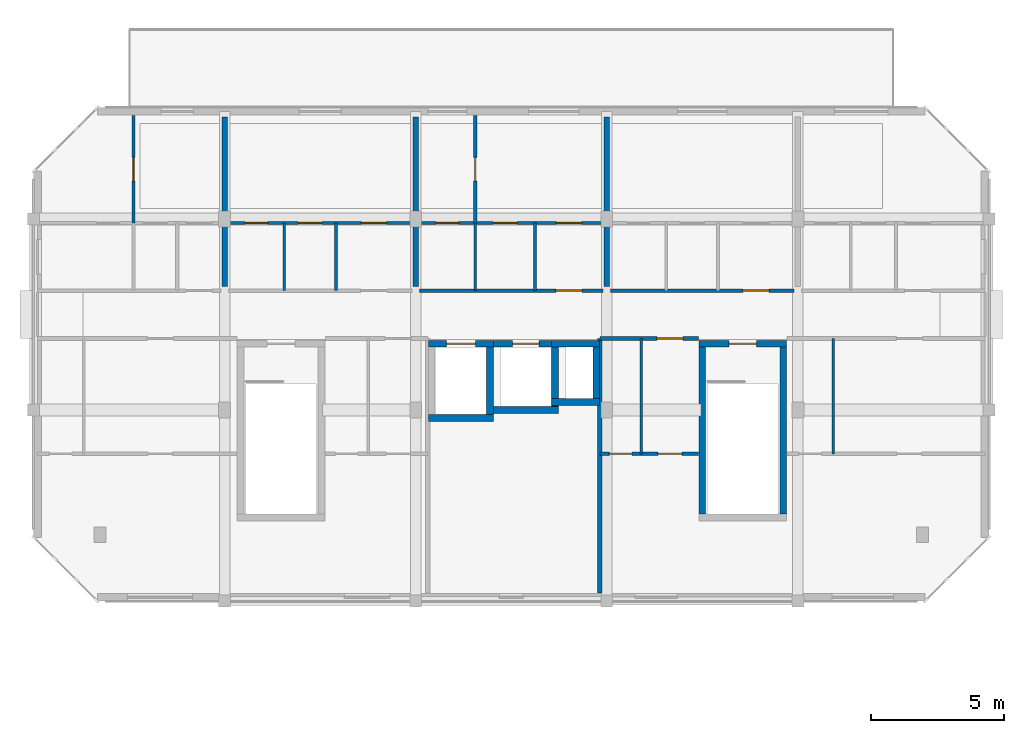
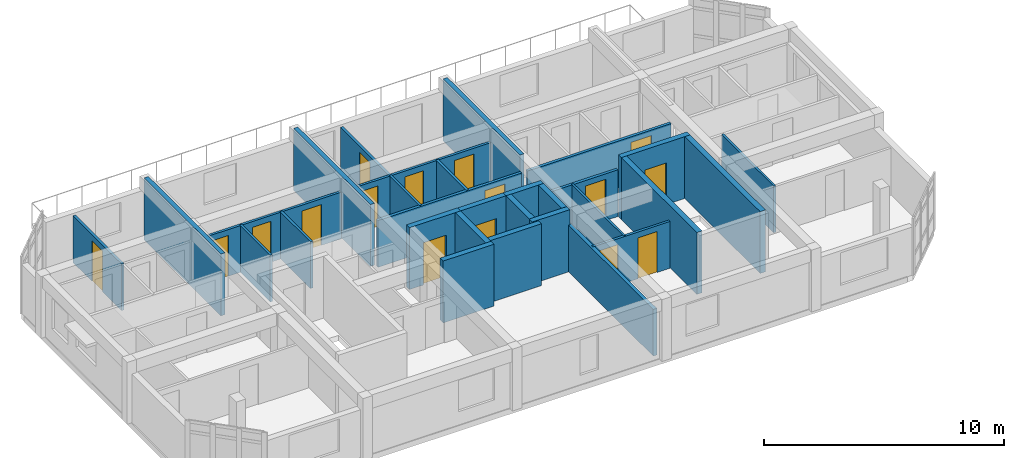
# One storey, part 13 of 30: 30 walls, 16 doors, 16 openings.
"""IFC4 building model written with IfcOpenShell, lengths in metres."""

from ifc_helpers import new_model, si_unit, direction, frame, frame_2d, origin, place, context, subcontext, project, spatial, rectangle, extrude, material, layer, layer_set, type_object, element, fill, save


model = new_model("IFC4")

# Units and contexts
model_context = context("Model", 3, precision=1e-05, world=origin(), true_north=direction((0.0, 1.0)))
body_context = subcontext(model_context, "Body", "Model", "MODEL_VIEW")
ifc_project = project(units=[si_unit("LENGTHUNIT", "METRE"), si_unit("AREAUNIT", "SQUARE_METRE"), si_unit("VOLUMEUNIT", "CUBIC_METRE"), si_unit("PLANEANGLEUNIT", "RADIAN"), si_unit("MASSUNIT", "GRAM", prefix="KILO")], contexts=[model_context])

# Site, building, storey
site_placement = place(None, origin())
site = spatial("IfcSite", under=ifc_project, at=site_placement, CompositionType="ELEMENT")
building_placement = place(site_placement, origin())
building = spatial("IfcBuilding", under=site, at=building_placement, Name="Ochrevale Crest", CompositionType="ELEMENT")
storey_placement = place(building_placement, frame((0.0, 0.0, 33.89990234375)))
storey = spatial("IfcBuildingStorey", under=building, at=storey_placement, Name="L10", CompositionType="ELEMENT", Elevation=33.89990234375)

# Wall, opening, door
ifc_material_1 = material(Name="Gypsum plasterboard", Category="gypsum")
ifc_layer_1 = layer(ifc_material_1, 0.139892578125)
ifc_layer_set_1 = layer_set([ifc_layer_1], Name="Gypsum plasterboard")
wall_type_1 = type_object("IfcWallType", Name="WL-COR-140", PredefinedType="PARTITIONING", material=ifc_layer_set_1)
wall_1_placement = place(storey_placement, frame((14.5400390625, 83.699951171875, 0.0), z_axis=(0.0, 0.0, 1.0), x_axis=(1.0, 0.0, 0.0)))
wall_1 = element("IfcWall", 1, at=wall_1_placement, inside=storey, type_object=wall_type_1, Name="Apartment B-L10-U3 corridor wall", PredefinedType="PARTITIONING", context=body_context, shape_type="SweptSolid", body=[
    extrude(rectangle(XDim=6.919921875, YDim=0.139892578125, at=frame_2d((3.4599609375, 0.0))), origin(), (0.0, 0.0, 1.0), 2.380126953125),
])
opening_1_placement = place(wall_1_placement, frame((5.14501953125, 0.0, 0.0)))
opening_1 = element("IfcOpeningElement", 2, at=opening_1_placement, cuts=wall_1, Name="Opening FD01", PredefinedType="OPENING", context=body_context, shape_type="SweptSolid", body=[
    extrude(rectangle(XDim=0.97998046875, YDim=2.10009765625, at=frame_2d((0.489990234375, 1.050048828125))), frame((0.0, 0.080078125, 0.0), z_axis=(0.0, -1.0, 0.0), x_axis=(1.0, 0.0, 0.0)), (0.0, 0.0, 1.0), 0.159912109375),
])
ifc_material_2 = material(Name="Solid-core FSC hardwood", Category="wood")
door_type_1 = type_object("IfcDoorType", Name="DR-APT-950", OperationType="NOTDEFINED", PredefinedType="DOOR", material=ifc_material_2)
door_1_placement = place(opening_1_placement, origin())
door_1 = element("IfcDoor", 3, at=door_1_placement, inside=storey, type_object=door_type_1, Name="Apartment B-L10-U3 entrance door", OperationType="SINGLE_SWING_LEFT", OverallHeight=2.10009765625, OverallWidth=0.97998046875, PredefinedType="DOOR", context=body_context, shape_type="SweptSolid", body=[
    extrude(rectangle(XDim=0.97998046875, YDim=2.10009765625, at=frame_2d((0.489990234375, 1.050048828125))), frame((0.0, 0.02490234375, 0.0), z_axis=(0.0, -1.0, 0.0), x_axis=(1.0, 0.0, 0.0)), (0.0, 0.0, 1.0), 0.050048828125),
])
fill(opening_1, door_1)

wall_2_placement = place(storey_placement, frame((21.739990234375, 83.699951171875, 0.0), z_axis=(0.0, 0.0, 1.0), x_axis=(1.0, 0.0, 0.0)))
wall_2 = element("IfcWall", 4, at=wall_2_placement, inside=storey, type_object=wall_type_1, Name="Apartment B-L10-U4 corridor wall", PredefinedType="PARTITIONING", context=body_context, shape_type="SweptSolid", body=[
    extrude(rectangle(XDim=6.919921875, YDim=0.139892578125, at=frame_2d((3.4599609375, 0.0))), origin(), (0.0, 0.0, 1.0), 2.380126953125),
])
opening_2_placement = place(wall_2_placement, frame((5.97509765625, 0.0, 0.0), z_axis=(0.0, 0.0, 1.0), x_axis=(-1.0, 0.0, 0.0)))
opening_2 = element("IfcOpeningElement", 5, at=opening_2_placement, cuts=wall_2, Name="Opening FD01", PredefinedType="OPENING", context=body_context, shape_type="SweptSolid", body=[
    extrude(rectangle(XDim=0.97998046875, YDim=2.10009765625, at=frame_2d((0.489990234375, 1.050048828125))), frame((0.0, 0.080078125, 0.0), z_axis=(0.0, -1.0, 0.0), x_axis=(1.0, 0.0, 0.0)), (0.0, 0.0, 1.0), 0.159912109375),
])
door_2_placement = place(opening_2_placement, origin())
door_2 = element("IfcDoor", 6, at=door_2_placement, inside=storey, type_object=door_type_1, Name="Apartment B-L10-U4 entrance door", OperationType="SINGLE_SWING_RIGHT", OverallHeight=2.10009765625, OverallWidth=0.97998046875, PredefinedType="DOOR", context=body_context, shape_type="SweptSolid", body=[
    extrude(rectangle(XDim=0.97998046875, YDim=2.10009765625, at=frame_2d((0.489990234375, 1.050048828125))), frame((0.0, 0.02490234375, 0.0), z_axis=(0.0, -1.0, 0.0), x_axis=(1.0, 0.0, 0.0)), (0.0, 0.0, 1.0), 0.050048828125),
])
fill(opening_2, door_2)

wall_3_placement = place(storey_placement, frame((21.340087890625, 81.89990234375, 0.0), z_axis=(0.0, 0.0, 1.0), x_axis=(1.0, 0.0, 0.0)))
wall_3 = element("IfcWall", 7, at=wall_3_placement, inside=storey, type_object=wall_type_1, Name="Suite B-L10-ME corridor wall", PredefinedType="PARTITIONING", context=body_context, shape_type="SweptSolid", body=[
    extrude(rectangle(XDim=3.719970703125, YDim=0.139892578125, at=frame_2d((1.85986328125, 0.0))), origin(), (0.0, 0.0, 1.0), 2.380126953125),
])
opening_3_placement = place(wall_3_placement, frame((3.131103515625, 0.0, 0.0), z_axis=(0.0, 0.0, 1.0), x_axis=(-1.0, 0.0, 0.0)))
opening_3 = element("IfcOpeningElement", 8, at=opening_3_placement, cuts=wall_3, Name="Opening FD01", PredefinedType="OPENING", context=body_context, shape_type="SweptSolid", body=[
    extrude(rectangle(XDim=0.97998046875, YDim=2.10009765625, at=frame_2d((0.489990234375, 1.050048828125))), frame((0.0, 0.080078125, 0.0), z_axis=(0.0, -1.0, 0.0), x_axis=(1.0, 0.0, 0.0)), (0.0, 0.0, 1.0), 0.159912109375),
])
door_3_placement = place(opening_3_placement, origin())
door_3 = element("IfcDoor", 9, at=door_3_placement, inside=storey, type_object=door_type_1, Name="Suite B-L10-ME entrance door", OperationType="SINGLE_SWING_RIGHT", OverallHeight=2.10009765625, OverallWidth=0.97998046875, PredefinedType="DOOR", context=body_context, shape_type="SweptSolid", body=[
    extrude(rectangle(XDim=0.97998046875, YDim=2.10009765625, at=frame_2d((0.489990234375, 1.050048828125))), frame((0.0, 0.02490234375, 0.0), z_axis=(0.0, -1.0, 0.0), x_axis=(1.0, 0.0, 0.0)), (0.0, 0.0, 1.0), 0.050048828125),
])
fill(opening_3, door_3)

ifc_material_3 = material(Name="Precast concrete C50/60", Category="concrete")
ifc_layer_2 = layer(ifc_material_3, 0.2548828125)
ifc_layer_set_2 = layer_set([ifc_layer_2], Name="Precast concrete C50/60")
wall_type_2 = type_object("IfcWallType", Name="WL-CORE-255", PredefinedType="SHEAR", material=ifc_layer_set_2)
wall_4_placement = place(storey_placement, frame((25.072509765625, 81.699951171875, 0.0), z_axis=(0.0, 0.0, 1.0), x_axis=(1.0, 0.0, 0.0)))
wall_4 = element("IfcWall", 10, at=wall_4_placement, inside=storey, type_object=wall_type_2, Name="Block B L10 Stair 2 precast core shear wall N", PredefinedType="SHEAR", context=body_context, shape_type="SweptSolid", body=[
    extrude(rectangle(XDim=3.304931640625, YDim=0.2548828125, at=frame_2d((1.65234375, 0.0))), origin(), (0.0, 0.0, 1.0), 3.150146484375),
])
opening_4_placement = place(wall_4_placement, frame((1.12744140625, 0.0, 0.0)))
opening_4 = element("IfcOpeningElement", 11, at=opening_4_placement, cuts=wall_4, Name="Opening FD03", PredefinedType="OPENING", context=body_context, shape_type="SweptSolid", body=[
    extrude(rectangle(XDim=1.050048828125, YDim=2.1201171875, at=frame_2d((0.52490234375, 1.06005859375))), frame((0.0, 0.137451171875, 0.0), z_axis=(0.0, -1.0, 0.0), x_axis=(1.0, 0.0, 0.0)), (0.0, 0.0, 1.0), 0.27490234375),
])
door_type_2 = type_object("IfcDoorType", Name="DR-ST-1050", OperationType="NOTDEFINED", PredefinedType="DOOR", material=ifc_material_2)
door_4_placement = place(opening_4_placement, origin())
door_4 = element("IfcDoor", 12, at=door_4_placement, inside=storey, type_object=door_type_2, Name="Block B L10 fire stair 2 door", OperationType="SINGLE_SWING_LEFT", OverallHeight=2.1201171875, OverallWidth=1.050048828125, PredefinedType="DOOR", context=body_context, shape_type="SweptSolid", body=[
    extrude(rectangle(XDim=1.050048828125, YDim=2.1201171875, at=frame_2d((0.52490234375, 1.06005859375))), frame((0.0, 0.02490234375, 0.0), z_axis=(0.0, -1.0, 0.0), x_axis=(1.0, 0.0, 0.0)), (0.0, 0.0, 1.0), 0.050048828125),
])
fill(opening_4, door_4)

# Walls
for number, where, z_axis, x_axis, name in (
    (13, (25.199951171875, 75.277587890625, 0.0), (0.0, 0.0, 1.0), (0.0, 1.0, 0.0), "Block B L10 Stair 2 precast core shear wall W"),
    (14, (28.25, 75.277587890625, 0.0), (0.0, 0.0, 1.0), (0.0, 1.0, 0.0), "Block B L10 Stair 2 precast core shear wall E"),
):
    element("IfcWall", number, at=place(storey_placement, frame(where, z_axis=z_axis, x_axis=x_axis)), inside=storey, type_object=wall_type_2, Name=name, PredefinedType="SHEAR", context=body_context, shape_type="SweptSolid", body=[
        extrude(rectangle(XDim=6.294921875, YDim=0.2548828125, at=frame_2d((3.1474609375, 0.0))), origin(), (0.0, 0.0, 1.0), 3.150146484375),
    ])
wall_5_placement = place(storey_placement, frame((14.87255859375, 78.89990234375, 0.0), z_axis=(0.0, 0.0, 1.0), x_axis=(1.0, 0.0, 0.0)))
element("IfcWall", 15, at=wall_5_placement, inside=storey, type_object=wall_type_2, Name="Block B L10 Lift 1 precast shaft shear wall S", PredefinedType="SHEAR", context=body_context, shape_type="SweptSolid", body=[
    extrude(rectangle(XDim=2.454833984375, YDim=0.2548828125, at=frame_2d((1.2275390625, 0.0))), origin(), (0.0, 0.0, 1.0), 3.150146484375),
])

# Wall, opening, door
wall_6_placement = place(storey_placement, frame((14.87255859375, 81.699951171875, 0.0), z_axis=(0.0, 0.0, 1.0), x_axis=(1.0, 0.0, 0.0)))
wall_6 = element("IfcWall", 16, at=wall_6_placement, inside=storey, type_object=wall_type_2, Name="Block B L10 Lift 1 precast shaft shear wall N", PredefinedType="SHEAR", context=body_context, shape_type="SweptSolid", body=[
    extrude(rectangle(XDim=2.454833984375, YDim=0.2548828125, at=frame_2d((1.2275390625, 0.0))), origin(), (0.0, 0.0, 1.0), 3.150146484375),
])
opening_5_placement = place(wall_6_placement, frame((0.677490234375, 0.0, 0.0)))
opening_5 = element("IfcOpeningElement", 17, at=opening_5_placement, cuts=wall_6, Name="Opening LD01", PredefinedType="OPENING", context=body_context, shape_type="SweptSolid", body=[
    extrude(rectangle(XDim=1.10009765625, YDim=2.14990234375, at=frame_2d((0.550048828125, 1.074951171875))), frame((0.0, 0.137451171875, 0.0), z_axis=(0.0, -1.0, 0.0), x_axis=(1.0, 0.0, 0.0)), (0.0, 0.0, 1.0), 0.27490234375),
])
door_type_3 = type_object("IfcDoorType", Name="DR-LIFT-1100", OperationType="NOTDEFINED", PredefinedType="DOOR", material=ifc_material_2)
door_5_placement = place(opening_5_placement, origin())
door_5 = element("IfcDoor", 18, at=door_5_placement, inside=storey, type_object=door_type_3, Name="Lift LF-B1 L10 sliding landing door", OperationType="SLIDING_TO_LEFT", OverallHeight=2.14990234375, OverallWidth=1.10009765625, PredefinedType="DOOR", context=body_context, shape_type="SweptSolid", body=[
    extrude(rectangle(XDim=1.10009765625, YDim=2.14990234375, at=frame_2d((0.550048828125, 1.074951171875))), frame((0.0, 0.02490234375, 0.0), z_axis=(0.0, -1.0, 0.0), x_axis=(1.0, 0.0, 0.0)), (0.0, 0.0, 1.0), 0.050048828125),
])
fill(opening_5, door_5)

# Walls
wall_7_placement = place(storey_placement, frame((17.199951171875, 79.027587890625, 0.0), z_axis=(0.0, 0.0, 1.0), x_axis=(0.0, 1.0, 0.0)))
element("IfcWall", 19, at=wall_7_placement, inside=storey, type_object=wall_type_2, Name="Block B L10 Lift 1 precast shaft shear wall E", PredefinedType="SHEAR", context=body_context, shape_type="SweptSolid", body=[
    extrude(rectangle(XDim=2.544921875, YDim=0.2548828125, at=frame_2d((1.2724609375, 0.0))), origin(), (0.0, 0.0, 1.0), 3.150146484375),
])
wall_8_placement = place(storey_placement, frame((17.322509765625, 79.199951171875, 0.0), z_axis=(0.0, 0.0, 1.0), x_axis=(1.0, 0.0, 0.0)))
element("IfcWall", 20, at=wall_8_placement, inside=storey, type_object=wall_type_2, Name="Block B L10 Lift 2 precast shaft shear wall S", PredefinedType="SHEAR", context=body_context, shape_type="SweptSolid", body=[
    extrude(rectangle(XDim=2.455078125, YDim=0.2548828125, at=frame_2d((1.2275390625, 0.0))), origin(), (0.0, 0.0, 1.0), 3.150146484375),
])

# Wall, opening, door
wall_9_placement = place(storey_placement, frame((17.322509765625, 81.699951171875, 0.0), z_axis=(0.0, 0.0, 1.0), x_axis=(1.0, 0.0, 0.0)))
wall_9 = element("IfcWall", 21, at=wall_9_placement, inside=storey, type_object=wall_type_2, Name="Block B L10 Lift 2 precast shaft shear wall N", PredefinedType="SHEAR", context=body_context, shape_type="SweptSolid", body=[
    extrude(rectangle(XDim=2.455078125, YDim=0.2548828125, at=frame_2d((1.2275390625, 0.0))), origin(), (0.0, 0.0, 1.0), 3.150146484375),
])
opening_6_placement = place(wall_9_placement, frame((0.7275390625, 0.0, 0.0)))
opening_6 = element("IfcOpeningElement", 22, at=opening_6_placement, cuts=wall_9, Name="Opening LD02", PredefinedType="OPENING", context=body_context, shape_type="SweptSolid", body=[
    extrude(rectangle(XDim=1.0, YDim=2.14990234375, at=frame_2d((0.5, 1.074951171875))), frame((0.0, 0.137451171875, 0.0), z_axis=(0.0, -1.0, 0.0), x_axis=(1.0, 0.0, 0.0)), (0.0, 0.0, 1.0), 0.27490234375),
])
door_type_4 = type_object("IfcDoorType", Name="DR-LIFT-1000", OperationType="NOTDEFINED", PredefinedType="DOOR", material=ifc_material_2)
door_6_placement = place(opening_6_placement, origin())
door_6 = element("IfcDoor", 23, at=door_6_placement, inside=storey, type_object=door_type_4, Name="Lift LP-B2 L10 sliding landing door", OperationType="SLIDING_TO_RIGHT", OverallHeight=2.14990234375, OverallWidth=1.0, PredefinedType="DOOR", context=body_context, shape_type="SweptSolid", body=[
    extrude(rectangle(XDim=1.0, YDim=2.14990234375, at=frame_2d((0.5, 1.074951171875))), frame((0.0, 0.02490234375, 0.0), z_axis=(0.0, -1.0, 0.0), x_axis=(1.0, 0.0, 0.0)), (0.0, 0.0, 1.0), 0.050048828125),
])
fill(opening_6, door_6)

# Walls
wall_10_placement = place(storey_placement, frame((19.64990234375, 79.327392578125, 0.0), z_axis=(0.0, 0.0, 1.0), x_axis=(0.0, 1.0, 0.0)))
element("IfcWall", 24, at=wall_10_placement, inside=storey, type_object=wall_type_2, Name="Block B L10 Lift 2 precast shaft shear wall E", PredefinedType="SHEAR", context=body_context, shape_type="SweptSolid", body=[
    extrude(rectangle(XDim=2.2451171875, YDim=0.2548828125, at=frame_2d((1.12255859375, 0.0))), origin(), (0.0, 0.0, 1.0), 3.150146484375),
])
for number, where, z_axis, x_axis, name in (
    (25, (19.5224609375, 79.5, 0.0), (0.0, 0.0, 1.0), (1.0, 0.0, 0.0), "Block B L10 services riser shaft core wall S"),
    (26, (19.5224609375, 81.699951171875, 0.0), (0.0, 0.0, 1.0), (1.0, 0.0, 0.0), "Block B L10 services riser shaft core wall N"),
):
    element("IfcWall", number, at=place(storey_placement, frame(where, z_axis=z_axis, x_axis=x_axis)), inside=storey, type_object=wall_type_2, Name=name, PredefinedType="SHEAR", context=body_context, shape_type="SweptSolid", body=[
        extrude(rectangle(XDim=1.804931640625, YDim=0.2548828125, at=frame_2d((0.90234375, 0.0))), origin(), (0.0, 0.0, 1.0), 3.150146484375),
    ])
wall_11_placement = place(storey_placement, frame((21.199951171875, 79.62744140625, 0.0), z_axis=(0.0, 0.0, 1.0), x_axis=(0.0, 1.0, 0.0)))
element("IfcWall", 27, at=wall_11_placement, inside=storey, type_object=wall_type_2, Name="Block B L10 services riser shaft core wall E", PredefinedType="SHEAR", context=body_context, shape_type="SweptSolid", body=[
    extrude(rectangle(XDim=1.945068359375, YDim=0.2548828125, at=frame_2d((0.97265625, 0.0))), origin(), (0.0, 0.0, 1.0), 3.150146484375),
])

# Wall, opening, door
ifc_layer_3 = layer(ifc_material_1, 0.1201171875)
ifc_layer_set_3 = layer_set([ifc_layer_3], Name="Gypsum plasterboard")
wall_type_3 = type_object("IfcWallType", Name="WL-PART-120", PredefinedType="PARTITIONING", material=ifc_layer_set_3)
wall_12_placement = place(storey_placement, frame((3.760009765625, 86.25, 0.0), z_axis=(0.0, 0.0, 1.0), x_axis=(0.0, 1.0, 0.0)))
wall_12 = element("IfcWall", 28, at=wall_12_placement, inside=storey, type_object=wall_type_3, Name="Apartment B-L10-U1 bedroom partition", PredefinedType="PARTITIONING", context=body_context, shape_type="SweptSolid", body=[
    extrude(rectangle(XDim=4.050048828125, YDim=0.1201171875, at=frame_2d((2.02490234375, 0.0))), origin(), (0.0, 0.0, 1.0), 2.380126953125),
])
opening_7_placement = place(wall_12_placement, frame((2.474853515625, 0.0, 0.0), z_axis=(0.0, 0.0, 1.0), x_axis=(-1.0, 0.0, 0.0)))
opening_7 = element("IfcOpeningElement", 29, at=opening_7_placement, cuts=wall_12, Name="Opening ID02", PredefinedType="OPENING", context=body_context, shape_type="SweptSolid", body=[
    extrude(rectangle(XDim=0.89990234375, YDim=2.080078125, at=frame_2d((0.449951171875, 1.0400390625))), frame((0.0, 0.070068359375, 0.0), z_axis=(0.0, -1.0, 0.0), x_axis=(1.0, 0.0, 0.0)), (0.0, 0.0, 1.0), 0.14013671875),
])
door_type_5 = type_object("IfcDoorType", Name="DR-INT-900", OperationType="NOTDEFINED", PredefinedType="DOOR", material=ifc_material_2)
door_7_placement = place(opening_7_placement, origin())
door_7 = element("IfcDoor", 30, at=door_7_placement, inside=storey, type_object=door_type_5, Name="Apartment B-L10-U1 Twin Bedroom door", OperationType="SINGLE_SWING_RIGHT", OverallHeight=2.080078125, OverallWidth=0.89990234375, PredefinedType="DOOR", context=body_context, shape_type="SweptSolid", body=[
    extrude(rectangle(XDim=0.89990234375, YDim=2.080078125, at=frame_2d((0.449951171875, 1.0400390625))), frame((0.0, 0.02490234375, 0.0), z_axis=(0.0, -1.0, 0.0), x_axis=(1.0, 0.0, 0.0)), (0.0, 0.0, 1.0), 0.050048828125),
])
fill(opening_7, door_7)

# Wall
wall_13_placement = place(storey_placement, frame((11.389892578125, 83.699951171875, 0.0), z_axis=(0.0, 0.0, 1.0), x_axis=(0.0, 1.0, 0.0)))
element("IfcWall", 31, at=wall_13_placement, inside=storey, type_object=wall_type_3, Name="Apartment B-L10-U2 kitchen-foyer wall", PredefinedType="PARTITIONING", context=body_context, shape_type="SweptSolid", body=[
    extrude(rectangle(XDim=2.550048828125, YDim=0.1201171875, at=frame_2d((1.27490234375, 0.0))), origin(), (0.0, 0.0, 1.0), 2.380126953125),
])

# Wall, openings, doors
wall_14_placement = place(storey_placement, frame((7.340087890625, 86.25, 0.0), z_axis=(0.0, 0.0, 1.0), x_axis=(1.0, 0.0, 0.0)))
wall_14 = element("IfcWall", 32, at=wall_14_placement, inside=storey, type_object=wall_type_3, Name="Apartment B-L10-U2 central partition", PredefinedType="PARTITIONING", context=body_context, shape_type="SweptSolid", body=[
    extrude(rectangle(XDim=6.919921875, YDim=0.1201171875, at=frame_2d((3.4599609375, 0.0))), origin(), (0.0, 0.0, 1.0), 2.380126953125),
])
opening_8_placement = place(wall_14_placement, frame((1.47509765625, 0.0, 0.0), z_axis=(0.0, 0.0, 1.0), x_axis=(-1.0, 0.0, 0.0)))
opening_8 = element("IfcOpeningElement", 33, at=opening_8_placement, cuts=wall_14, Name="Opening ID01", PredefinedType="OPENING", context=body_context, shape_type="SweptSolid", body=[
    extrude(rectangle(XDim=0.85009765625, YDim=2.080078125, at=frame_2d((0.425048828125, 1.0400390625))), frame((0.0, 0.070068359375, 0.0), z_axis=(0.0, -1.0, 0.0), x_axis=(1.0, 0.0, 0.0)), (0.0, 0.0, 1.0), 0.14013671875),
])
opening_9_placement = place(wall_14_placement, frame((2.625, 0.0, 0.0)))
opening_9 = element("IfcOpeningElement", 34, at=opening_9_placement, cuts=wall_14, Name="Opening ID02", PredefinedType="OPENING", context=body_context, shape_type="SweptSolid", body=[
    extrude(rectangle(XDim=0.89990234375, YDim=2.080078125, at=frame_2d((0.449951171875, 1.0400390625))), frame((0.0, 0.070068359375, 0.0), z_axis=(0.0, -1.0, 0.0), x_axis=(1.0, 0.0, 0.0)), (0.0, 0.0, 1.0), 0.14013671875),
])
opening_10_placement = place(wall_14_placement, frame((5.9599609375, 0.0, 0.0), z_axis=(0.0, 0.0, 1.0), x_axis=(-1.0, 0.0, 0.0)))
opening_10 = element("IfcOpeningElement", 35, at=opening_10_placement, cuts=wall_14, Name="Opening ID06", PredefinedType="OPENING", context=body_context, shape_type="SweptSolid", body=[
    extrude(rectangle(XDim=0.949951171875, YDim=2.080078125, at=frame_2d((0.47509765625, 1.0400390625))), frame((0.0, 0.070068359375, 0.0), z_axis=(0.0, -1.0, 0.0), x_axis=(1.0, 0.0, 0.0)), (0.0, 0.0, 1.0), 0.14013671875),
])
door_8_placement = place(opening_9_placement, origin())
door_8 = element("IfcDoor", 36, at=door_8_placement, inside=storey, type_object=door_type_5, Name="Apartment B-L10-U2 Kitchen door", OperationType="SINGLE_SWING_LEFT", OverallHeight=2.080078125, OverallWidth=0.89990234375, PredefinedType="DOOR", context=body_context, shape_type="SweptSolid", body=[
    extrude(rectangle(XDim=0.89990234375, YDim=2.080078125, at=frame_2d((0.449951171875, 1.0400390625))), frame((0.0, 0.02490234375, 0.0), z_axis=(0.0, -1.0, 0.0), x_axis=(1.0, 0.0, 0.0)), (0.0, 0.0, 1.0), 0.050048828125),
])
fill(opening_9, door_8)
door_type_6 = type_object("IfcDoorType", Name="DR-INT-950", OperationType="NOTDEFINED", PredefinedType="DOOR", material=ifc_material_2)
door_9_placement = place(opening_10_placement, origin())
door_9 = element("IfcDoor", 37, at=door_9_placement, inside=storey, type_object=door_type_6, Name="Apartment B-L10-U2 Living Foyer door", OperationType="SINGLE_SWING_RIGHT", OverallHeight=2.080078125, OverallWidth=0.949951171875, PredefinedType="DOOR", context=body_context, shape_type="SweptSolid", body=[
    extrude(rectangle(XDim=0.949951171875, YDim=2.080078125, at=frame_2d((0.47509765625, 1.0400390625))), frame((0.0, 0.02490234375, 0.0), z_axis=(0.0, -1.0, 0.0), x_axis=(1.0, 0.0, 0.0)), (0.0, 0.0, 1.0), 0.050048828125),
])
fill(opening_10, door_9)
door_type_7 = type_object("IfcDoorType", Name="DR-WC-850", OperationType="NOTDEFINED", PredefinedType="DOOR", material=ifc_material_2)
door_10_placement = place(opening_8_placement, origin())
door_10 = element("IfcDoor", 38, at=door_10_placement, inside=storey, type_object=door_type_7, Name="Apartment B-L10-U2 Bathroom door", OperationType="SINGLE_SWING_RIGHT", OverallHeight=2.080078125, OverallWidth=0.85009765625, PredefinedType="DOOR", context=body_context, shape_type="SweptSolid", body=[
    extrude(rectangle(XDim=0.85009765625, YDim=2.080078125, at=frame_2d((0.425048828125, 1.0400390625))), frame((0.0, 0.02490234375, 0.0), z_axis=(0.0, -1.0, 0.0), x_axis=(1.0, 0.0, 0.0)), (0.0, 0.0, 1.0), 0.050048828125),
])
fill(opening_8, door_10)

# Wall
wall_15_placement = place(storey_placement, frame((18.889892578125, 83.699951171875, 0.0), z_axis=(0.0, 0.0, 1.0), x_axis=(0.0, 1.0, 0.0)))
element("IfcWall", 39, at=wall_15_placement, inside=storey, type_object=wall_type_3, Name="Apartment B-L10-U3 kitchen-foyer wall", PredefinedType="PARTITIONING", context=body_context, shape_type="SweptSolid", body=[
    extrude(rectangle(XDim=2.550048828125, YDim=0.1201171875, at=frame_2d((1.27490234375, 0.0))), origin(), (0.0, 0.0, 1.0), 2.380126953125),
])

# Wall, openings, doors
wall_16_placement = place(storey_placement, frame((14.5400390625, 86.25, 0.0), z_axis=(0.0, 0.0, 1.0), x_axis=(1.0, 0.0, 0.0)))
wall_16 = element("IfcWall", 40, at=wall_16_placement, inside=storey, type_object=wall_type_3, Name="Apartment B-L10-U3 central partition", PredefinedType="PARTITIONING", context=body_context, shape_type="SweptSolid", body=[
    extrude(rectangle(XDim=6.919921875, YDim=0.1201171875, at=frame_2d((3.4599609375, 0.0))), origin(), (0.0, 0.0, 1.0), 2.380126953125),
])
opening_11_placement = place(wall_16_placement, frame((1.47509765625, 0.0, 0.0), z_axis=(0.0, 0.0, 1.0), x_axis=(-1.0, 0.0, 0.0)))
opening_11 = element("IfcOpeningElement", 41, at=opening_11_placement, cuts=wall_16, Name="Opening ID01", PredefinedType="OPENING", context=body_context, shape_type="SweptSolid", body=[
    extrude(rectangle(XDim=0.85009765625, YDim=2.080078125, at=frame_2d((0.425048828125, 1.0400390625))), frame((0.0, 0.070068359375, 0.0), z_axis=(0.0, -1.0, 0.0), x_axis=(1.0, 0.0, 0.0)), (0.0, 0.0, 1.0), 0.14013671875),
])
opening_12_placement = place(wall_16_placement, frame((2.77490234375, 0.0, 0.0)))
opening_12 = element("IfcOpeningElement", 42, at=opening_12_placement, cuts=wall_16, Name="Opening ID02", PredefinedType="OPENING", context=body_context, shape_type="SweptSolid", body=[
    extrude(rectangle(XDim=0.89990234375, YDim=2.080078125, at=frame_2d((0.449951171875, 1.0400390625))), frame((0.0, 0.070068359375, 0.0), z_axis=(0.0, -1.0, 0.0), x_axis=(1.0, 0.0, 0.0)), (0.0, 0.0, 1.0), 0.14013671875),
])
opening_13_placement = place(wall_16_placement, frame((6.10986328125, 0.0, 0.0), z_axis=(0.0, 0.0, 1.0), x_axis=(-1.0, 0.0, 0.0)))
opening_13 = element("IfcOpeningElement", 43, at=opening_13_placement, cuts=wall_16, Name="Opening ID06", PredefinedType="OPENING", context=body_context, shape_type="SweptSolid", body=[
    extrude(rectangle(XDim=0.949951171875, YDim=2.080078125, at=frame_2d((0.47509765625, 1.0400390625))), frame((0.0, 0.070068359375, 0.0), z_axis=(0.0, -1.0, 0.0), x_axis=(1.0, 0.0, 0.0)), (0.0, 0.0, 1.0), 0.14013671875),
])
door_11_placement = place(opening_12_placement, origin())
door_11 = element("IfcDoor", 44, at=door_11_placement, inside=storey, type_object=door_type_5, Name="Apartment B-L10-U3 Kitchen door", OperationType="SINGLE_SWING_LEFT", OverallHeight=2.080078125, OverallWidth=0.89990234375, PredefinedType="DOOR", context=body_context, shape_type="SweptSolid", body=[
    extrude(rectangle(XDim=0.89990234375, YDim=2.080078125, at=frame_2d((0.449951171875, 1.0400390625))), frame((0.0, 0.02490234375, 0.0), z_axis=(0.0, -1.0, 0.0), x_axis=(1.0, 0.0, 0.0)), (0.0, 0.0, 1.0), 0.050048828125),
])
fill(opening_12, door_11)
door_12_placement = place(opening_13_placement, origin())
door_12 = element("IfcDoor", 45, at=door_12_placement, inside=storey, type_object=door_type_6, Name="Apartment B-L10-U3 Living Foyer door", OperationType="SINGLE_SWING_RIGHT", OverallHeight=2.080078125, OverallWidth=0.949951171875, PredefinedType="DOOR", context=body_context, shape_type="SweptSolid", body=[
    extrude(rectangle(XDim=0.949951171875, YDim=2.080078125, at=frame_2d((0.47509765625, 1.0400390625))), frame((0.0, 0.02490234375, 0.0), z_axis=(0.0, -1.0, 0.0), x_axis=(1.0, 0.0, 0.0)), (0.0, 0.0, 1.0), 0.050048828125),
])
fill(opening_13, door_12)
door_13_placement = place(opening_11_placement, origin())
door_13 = element("IfcDoor", 46, at=door_13_placement, inside=storey, type_object=door_type_7, Name="Apartment B-L10-U3 Bathroom door", OperationType="SINGLE_SWING_RIGHT", OverallHeight=2.080078125, OverallWidth=0.85009765625, PredefinedType="DOOR", context=body_context, shape_type="SweptSolid", body=[
    extrude(rectangle(XDim=0.85009765625, YDim=2.080078125, at=frame_2d((0.425048828125, 1.0400390625))), frame((0.0, 0.02490234375, 0.0), z_axis=(0.0, -1.0, 0.0), x_axis=(1.0, 0.0, 0.0)), (0.0, 0.0, 1.0), 0.050048828125),
])
fill(opening_11, door_13)

# Wall, opening, door
wall_17_placement = place(storey_placement, frame((16.639892578125, 86.25, 0.0), z_axis=(0.0, 0.0, 1.0), x_axis=(0.0, 1.0, 0.0)))
wall_17 = element("IfcWall", 47, at=wall_17_placement, inside=storey, type_object=wall_type_3, Name="Apartment B-L10-U3 bedroom partition", PredefinedType="PARTITIONING", context=body_context, shape_type="SweptSolid", body=[
    extrude(rectangle(XDim=4.050048828125, YDim=0.1201171875, at=frame_2d((2.02490234375, 0.0))), origin(), (0.0, 0.0, 1.0), 2.380126953125),
])
opening_14_placement = place(wall_17_placement, frame((1.574951171875, 0.0, 0.0)))
opening_14 = element("IfcOpeningElement", 48, at=opening_14_placement, cuts=wall_17, Name="Opening ID02", PredefinedType="OPENING", context=body_context, shape_type="SweptSolid", body=[
    extrude(rectangle(XDim=0.89990234375, YDim=2.080078125, at=frame_2d((0.449951171875, 1.0400390625))), frame((0.0, 0.070068359375, 0.0), z_axis=(0.0, -1.0, 0.0), x_axis=(1.0, 0.0, 0.0)), (0.0, 0.0, 1.0), 0.14013671875),
])
door_14_placement = place(opening_14_placement, origin())
door_14 = element("IfcDoor", 49, at=door_14_placement, inside=storey, type_object=door_type_5, Name="Apartment B-L10-U3 Master Bedroom door", OperationType="SINGLE_SWING_LEFT", OverallHeight=2.080078125, OverallWidth=0.89990234375, PredefinedType="DOOR", context=body_context, shape_type="SweptSolid", body=[
    extrude(rectangle(XDim=0.89990234375, YDim=2.080078125, at=frame_2d((0.449951171875, 1.0400390625))), frame((0.0, 0.02490234375, 0.0), z_axis=(0.0, -1.0, 0.0), x_axis=(1.0, 0.0, 0.0)), (0.0, 0.0, 1.0), 0.050048828125),
])
fill(opening_14, door_14)

# Wall, openings, doors
wall_18_placement = place(storey_placement, frame((21.340087890625, 77.550048828125, 0.0), z_axis=(0.0, 0.0, 1.0), x_axis=(1.0, 0.0, 0.0)))
wall_18 = element("IfcWall", 50, at=wall_18_placement, inside=storey, type_object=wall_type_3, Name="Suite B-L10-ME internal wall", PredefinedType="PARTITIONING", context=body_context, shape_type="SweptSolid", body=[
    extrude(rectangle(XDim=3.719970703125, YDim=0.1201171875, at=frame_2d((1.85986328125, 0.0))), origin(), (0.0, 0.0, 1.0), 2.380126953125),
])
opening_15_placement = place(wall_18_placement, frame((0.356201171875, 0.0, 0.0)))
opening_15 = element("IfcOpeningElement", 51, at=opening_15_placement, cuts=wall_18, Name="Opening ID01", PredefinedType="OPENING", context=body_context, shape_type="SweptSolid", body=[
    extrude(rectangle(XDim=0.85009765625, YDim=2.080078125, at=frame_2d((0.425048828125, 1.0400390625))), frame((0.0, 0.070068359375, 0.0), z_axis=(0.0, -1.0, 0.0), x_axis=(1.0, 0.0, 0.0)), (0.0, 0.0, 1.0), 0.14013671875),
])
opening_16_placement = place(wall_18_placement, frame((3.10107421875, 0.0, 0.0), z_axis=(0.0, 0.0, 1.0), x_axis=(-1.0, 0.0, 0.0)))
opening_16 = element("IfcOpeningElement", 52, at=opening_16_placement, cuts=wall_18, Name="Opening ID04", PredefinedType="OPENING", context=body_context, shape_type="SweptSolid", body=[
    extrude(rectangle(XDim=0.919921875, YDim=2.080078125, at=frame_2d((0.4599609375, 1.0400390625))), frame((0.0, 0.070068359375, 0.0), z_axis=(0.0, -1.0, 0.0), x_axis=(1.0, 0.0, 0.0)), (0.0, 0.0, 1.0), 0.14013671875),
])
door_type_8 = type_object("IfcDoorType", Name="DR-INT-920", OperationType="NOTDEFINED", PredefinedType="DOOR", material=ifc_material_2)
door_15_placement = place(opening_16_placement, origin())
door_15 = element("IfcDoor", 53, at=door_15_placement, inside=storey, type_object=door_type_8, Name="Suite B-L10-ME Garden Alcove Studio door", OperationType="SINGLE_SWING_RIGHT", OverallHeight=2.080078125, OverallWidth=0.919921875, PredefinedType="DOOR", context=body_context, shape_type="SweptSolid", body=[
    extrude(rectangle(XDim=0.919921875, YDim=2.080078125, at=frame_2d((0.4599609375, 1.0400390625))), frame((0.0, 0.02490234375, 0.0), z_axis=(0.0, -1.0, 0.0), x_axis=(1.0, 0.0, 0.0)), (0.0, 0.0, 1.0), 0.050048828125),
])
fill(opening_16, door_15)
door_16_placement = place(opening_15_placement, origin())
door_16 = element("IfcDoor", 54, at=door_16_placement, inside=storey, type_object=door_type_7, Name="Suite B-L10-ME Bathroom door", OperationType="SINGLE_SWING_LEFT", OverallHeight=2.080078125, OverallWidth=0.85009765625, PredefinedType="DOOR", context=body_context, shape_type="SweptSolid", body=[
    extrude(rectangle(XDim=0.85009765625, YDim=2.080078125, at=frame_2d((0.425048828125, 1.0400390625))), frame((0.0, 0.02490234375, 0.0), z_axis=(0.0, -1.0, 0.0), x_axis=(1.0, 0.0, 0.0)), (0.0, 0.0, 1.0), 0.050048828125),
])
fill(opening_15, door_16)

# Walls
ifc_material_4 = material(Name="Precast concrete C40/50", Category="concrete")
ifc_layer_4 = layer(ifc_material_4, 0.2099609375)
ifc_layer_set_4 = layer_set([ifc_layer_4], Name="Precast concrete C40/50")
wall_type_4 = type_object("IfcWallType", Name="WL-SHEAR-210", PredefinedType="SHEAR", material=ifc_layer_set_4)
for number, where, z_axis, x_axis, name in (
    (55, (7.199951171875, 83.85009765625, 0.0), (0.0, 0.0, 1.0), (0.0, 1.0, 0.0), "Block B L10 load-bearing precast cross-wall X=7.2"),
    (56, (14.39990234375, 83.85009765625, 0.0), (0.0, 0.0, 1.0), (0.0, 1.0, 0.0), "Block B L10 load-bearing precast cross-wall X=14.4"),
    (57, (21.60009765625, 83.85009765625, 0.0), (0.0, 0.0, 1.0), (0.0, 1.0, 0.0), "Block B L10 load-bearing precast cross-wall X=21.6"),
):
    element("IfcWall", number, at=place(storey_placement, frame(where, z_axis=z_axis, x_axis=x_axis)), inside=storey, type_object=wall_type_4, Name=name, PredefinedType="SHEAR", context=body_context, shape_type="SweptSolid", body=[
        extrude(rectangle(XDim=6.39990234375, YDim=0.2099609375, at=frame_2d((3.199951171875, 0.0))), origin(), (0.0, 0.0, 1.0), 3.150146484375),
    ])
ifc_layer_5 = layer(ifc_material_1, 0.169921875)
ifc_layer_set_5 = layer_set([ifc_layer_5], Name="Gypsum plasterboard")
wall_type_5 = type_object("IfcWallType", Name="WL-TEN-170", PredefinedType="PARTITIONING", material=ifc_layer_set_5)
wall_19_placement = place(storey_placement, frame((21.340087890625, 72.300048828125, 0.0), z_axis=(0.0, 0.0, 1.0), x_axis=(0.0, 1.0, 0.0)))
element("IfcWall", 58, at=wall_19_placement, inside=storey, type_object=wall_type_5, Name="Suite B-L10-ME west party wall", PredefinedType="PARTITIONING", context=body_context, shape_type="SweptSolid", body=[
    extrude(rectangle(XDim=9.599853515625, YDim=0.169921875, at=frame_2d((4.7998046875, 0.0))), origin(), (0.0, 0.0, 1.0), 2.380126953125),
])
ifc_layer_6 = layer(ifc_material_1, 0.10009765625)
ifc_layer_set_6 = layer_set([ifc_layer_6], Name="Gypsum plasterboard")
wall_type_6 = type_object("IfcWallType", Name="WL-WET-100", PredefinedType="PARTITIONING", material=ifc_layer_set_6)
for number, where, z_axis, x_axis, name in (
    (59, (9.43994140625, 83.699951171875, 0.0), (0.0, 0.0, 1.0), (0.0, 1.0, 0.0), "Apartment B-L10-U2 bath-kitchen wall"),
    (60, (16.639892578125, 83.699951171875, 0.0), (0.0, 0.0, 1.0), (0.0, 1.0, 0.0), "Apartment B-L10-U3 bath-kitchen wall"),
):
    element("IfcWall", number, at=place(storey_placement, frame(where, z_axis=z_axis, x_axis=x_axis)), inside=storey, type_object=wall_type_6, Name=name, PredefinedType="PARTITIONING", context=body_context, shape_type="SweptSolid", body=[
        extrude(rectangle(XDim=2.550048828125, YDim=0.10009765625, at=frame_2d((1.27490234375, 0.0))), origin(), (0.0, 0.0, 1.0), 2.380126953125),
    ])
for number, where, z_axis, x_axis, name in (
    (61, (22.90234375, 77.550048828125, 0.0), (0.0, 0.0, 1.0), (0.0, 1.0, 0.0), "Suite B-L10-ME bathroom divider"),
    (62, (30.139892578125, 77.550048828125, 0.0), (0.0, 0.0, 1.0), (0.0, 1.0, 0.0), "Suite B-L10-CE bathroom divider"),
):
    element("IfcWall", number, at=place(storey_placement, frame(where, z_axis=z_axis, x_axis=x_axis)), inside=storey, type_object=wall_type_6, Name=name, PredefinedType="PARTITIONING", context=body_context, shape_type="SweptSolid", body=[
        extrude(rectangle(XDim=4.349853515625, YDim=0.10009765625, at=frame_2d((2.1748046875, 0.0))), origin(), (0.0, 0.0, 1.0), 2.380126953125),
    ])

save(model, "model.ifc")
